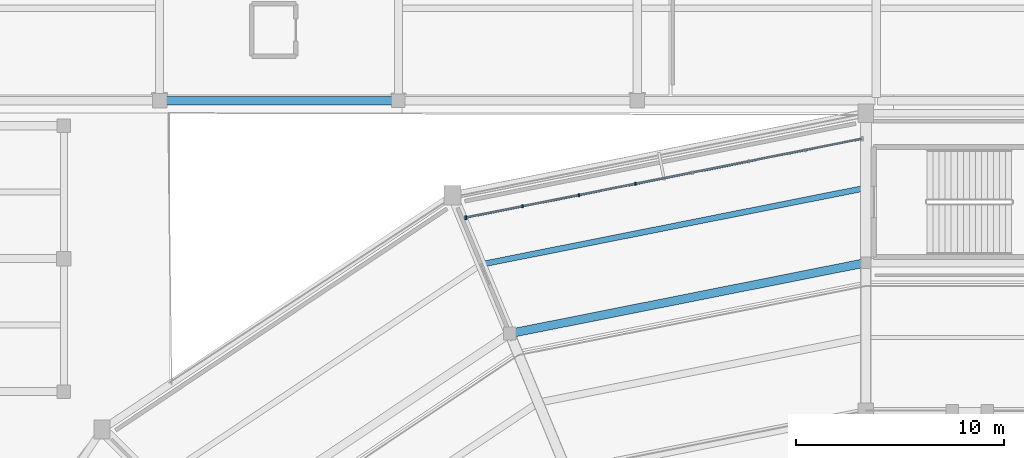
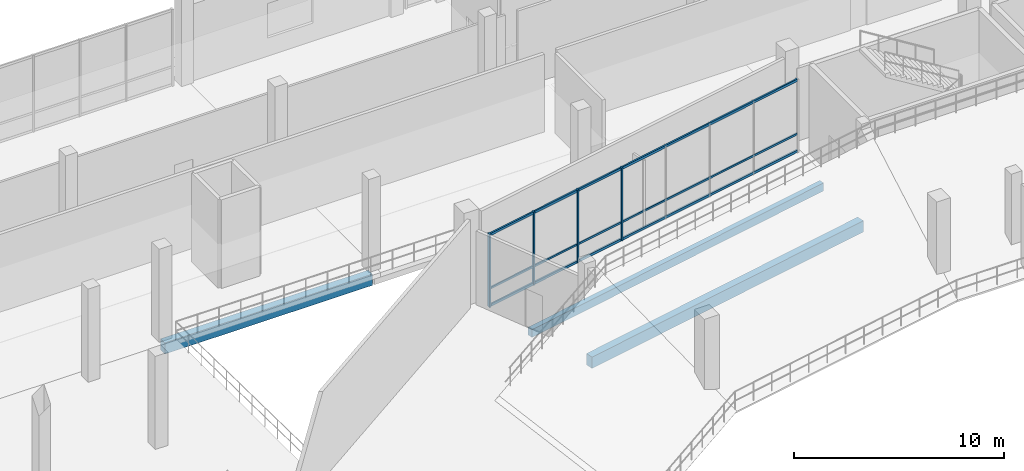
# One storey, part 47 of 127: 7 members, 3 beams, 1 element without a shape of its own.
"""IFC4 building model written with IfcOpenShell, lengths in metres."""

from ifc_helpers import new_model, si_unit, direction, frame, origin, origin_2d, place, context, subcontext, project, spatial, rectangle, extrude, material, material_profile, profile_set, type_object, element, aggregate, save


model = new_model("IFC4")

# Units and contexts
model_context = context("Model", 3, precision=1e-05, world=origin(), true_north=direction((0.0, 1.0)))
body_context = subcontext(model_context, "Body", "Model", "MODEL_VIEW")
ifc_project = project(units=[si_unit("LENGTHUNIT", "METRE"), si_unit("AREAUNIT", "SQUARE_METRE"), si_unit("VOLUMEUNIT", "CUBIC_METRE"), si_unit("PLANEANGLEUNIT", "RADIAN"), si_unit("MASSUNIT", "GRAM", prefix="KILO")], contexts=[model_context])

# Site, building, storey
site_placement = place(None, origin())
site = spatial("IfcSite", under=ifc_project, at=site_placement, CompositionType="ELEMENT")
building_placement = place(site_placement, origin())
building = spatial("IfcBuilding", under=site, at=building_placement, Name="Candeia Ridge Stadium", CompositionType="ELEMENT")
storey_placement = place(building_placement, frame((0.0, 0.0, 10.800048828125)))
storey = spatial("IfcBuildingStorey", under=building, at=storey_placement, Name="L02", CompositionType="ELEMENT", Elevation=10.800048828125)

# Curtain wall, members
ifc_material_1 = material(Name="Aluminium Anodized Warm Bronze", Category="aluminium")
curtain_wall_type = type_object("IfcCurtainWallType", Name="Concourse Recessed Unitised Curtain Wall", PredefinedType="NOTDEFINED", material=ifc_material_1)
curtain_wall_placement = place(storey_placement, origin())
curtain_wall = element("IfcCurtainWall", 1, at=curtain_wall_placement, inside=storey, type_object=curtain_wall_type, Name="Unitised curtain wall CW-BWL-L02-07", PredefinedType="NOTDEFINED")
ifc_material_profile_1 = material_profile(ifc_material_1, rectangle(XDim=0.090087890625, YDim=0.179931640625, at=origin_2d()), Name="CWM-90x180", Category="aluminium")
ifc_profile_set_1 = profile_set([ifc_material_profile_1], Name="Aluminium Anodized Warm Bronze")
member_type_1 = type_object("IfcMemberType", Name="Curtain Wall Primary Mullion 90x180", PredefinedType="MULLION", material=ifc_profile_set_1)
member_1_placement = place(storey_placement, frame((51.736083984375, 141.96826171875, 0.0), z_axis=(0.0, 0.0, 1.0), x_axis=(1.0, 0.0, 0.0)))
member_1 = element("IfcMember", 2, at=member_1_placement, type_object=member_type_1, Name="Curtain wall mullion CW-BWL-L02-07-M7", PredefinedType="MULLION", context=body_context, shape_type="SweptSolid", body=[
    extrude(rectangle(XDim=0.090087890625, YDim=0.179931640625, at=origin_2d()), origin(), (0.0, 0.0, 1.0), 4.2548828125),
])
ifc_material_profile_2 = material_profile(ifc_material_1, rectangle(XDim=0.074951171875, YDim=0.14990234375, at=origin_2d()), Name="CWM-75x150", Category="aluminium")
ifc_profile_set_2 = profile_set([ifc_material_profile_2], Name="Aluminium Anodized Warm Bronze")
member_type_2 = type_object("IfcMemberType", Name="Curtain Wall Secondary Mullion 75x150", PredefinedType="MULLION", material=ifc_profile_set_2)
member_2_placement = place(storey_placement, frame((59.91650390625, 143.595458984375, 0.0), z_axis=(0.0, 0.0, 1.0), x_axis=(1.0, 0.0, 0.0)))
member_2 = element("IfcMember", 3, at=member_2_placement, type_object=member_type_2, Name="Curtain wall mullion CW-BWL-L02-07-M4", PredefinedType="MULLION", context=body_context, shape_type="SweptSolid", body=[
    extrude(rectangle(XDim=0.074951171875, YDim=0.14990234375, at=origin_2d()), origin(), (0.0, 0.0, 1.0), 4.2548828125),
])
member_3_placement = place(storey_placement, frame((57.189697265625, 143.052978515625, 0.0), z_axis=(0.0, 0.0, 1.0), x_axis=(1.0, 0.0, 0.0)))
member_3 = element("IfcMember", 4, at=member_3_placement, type_object=member_type_2, Name="Curtain wall mullion CW-BWL-L02-07-M5", PredefinedType="MULLION", context=body_context, shape_type="SweptSolid", body=[
    extrude(rectangle(XDim=0.074951171875, YDim=0.14990234375, at=origin_2d()), origin(), (0.0, 0.0, 1.0), 4.2548828125),
])
member_4_placement = place(storey_placement, frame((54.462890625, 142.510498046875, 0.0), z_axis=(0.0, 0.0, 1.0), x_axis=(1.0, 0.0, 0.0)))
member_4 = element("IfcMember", 5, at=member_4_placement, type_object=member_type_2, Name="Curtain wall mullion CW-BWL-L02-07-M6", PredefinedType="MULLION", context=body_context, shape_type="SweptSolid", body=[
    extrude(rectangle(XDim=0.074951171875, YDim=0.14990234375, at=origin_2d()), origin(), (0.0, 0.0, 1.0), 4.2548828125),
])
ifc_material_profile_3 = material_profile(ifc_material_1, rectangle(XDim=0.074951171875, YDim=0.110107421875, at=origin_2d()), Name="CWT-75x110", Category="aluminium")
ifc_profile_set_3 = profile_set([ifc_material_profile_3], Name="Aluminium Anodized Warm Bronze")
member_type_3 = type_object("IfcMemberType", Name="Curtain Wall Secondary Transom 75x110", PredefinedType="USERDEFINED", material=ifc_profile_set_3)
member_5_placement = place(storey_placement, frame((70.823486328125, 145.764892578125, 1.063720703125), z_axis=(-0.980786160623, -0.195085896803, 0.0), x_axis=(0.195085896803, -0.980786160623, 0.0)))
member_5 = element("IfcMember", 6, at=member_5_placement, type_object=member_type_3, Name="Curtain wall transom CW-BWL-L02-07-T1", ObjectType="TRANSOM", PredefinedType="USERDEFINED", context=body_context, shape_type="SweptSolid", body=[
    extrude(rectangle(XDim=0.074951171875, YDim=0.110107421875, at=origin_2d()), origin(), (0.0, 0.0, 1.0), 19.46142578125),
])
ifc_material_profile_4 = material_profile(ifc_material_1, rectangle(XDim=0.090087890625, YDim=0.139892578125, at=origin_2d()), Name="CWT-90x140", Category="aluminium")
ifc_profile_set_4 = profile_set([ifc_material_profile_4], Name="Aluminium Anodized Warm Bronze")
member_type_4 = type_object("IfcMemberType", Name="Curtain Wall Transom 90x140", PredefinedType="USERDEFINED", material=ifc_profile_set_4)
member_6_placement = place(storey_placement, frame((70.823486328125, 145.764892578125, 0.070068359375), z_axis=(-0.980786160623, -0.195085896803, 0.0), x_axis=(0.195085896803, -0.980786160623, 0.0)))
member_6 = element("IfcMember", 7, at=member_6_placement, type_object=member_type_4, Name="Curtain wall transom CW-BWL-L02-07-T0", ObjectType="TRANSOM", PredefinedType="USERDEFINED", context=body_context, shape_type="SweptSolid", body=[
    extrude(rectangle(XDim=0.090087890625, YDim=0.139892578125, at=origin_2d()), origin(), (0.0, 0.0, 1.0), 19.46142578125),
])
member_7_placement = place(storey_placement, frame((70.823486328125, 145.764892578125, 4.18505859375), z_axis=(-0.980786160623, -0.195085896803, 0.0), x_axis=(0.195085896803, -0.980786160623, 0.0)))
member_7 = element("IfcMember", 8, at=member_7_placement, type_object=member_type_4, Name="Curtain wall transom CW-BWL-L02-07-T2", ObjectType="TRANSOM", PredefinedType="USERDEFINED", context=body_context, shape_type="SweptSolid", body=[
    extrude(rectangle(XDim=0.090087890625, YDim=0.139892578125, at=origin_2d()), origin(), (0.0, 0.0, 1.0), 19.46142578125),
])
aggregate(curtain_wall, [member_2, member_3, member_4, member_1, member_6, member_5, member_7])

# Beams
ifc_material_2 = material(Name="Concrete C40/50", Category="concrete")
ifc_material_profile_5 = material_profile(ifc_material_2, rectangle(XDim=0.280029296875, YDim=0.4599609375, at=origin_2d()), Name="RC280x460", Category="concrete")
ifc_profile_set_5 = profile_set([ifc_material_profile_5], Name="Concrete C40/50")
beam_type_1 = type_object("IfcBeamType", Name="Floor Joist RC280x460", PredefinedType="JOIST", material=ifc_profile_set_5)
beam_1_placement = place(storey_placement, frame((70.7822265625, 143.356689453125, -0.489990234375), z_axis=(-0.980784839623, -0.195092537954, 0.0), x_axis=(0.195092537954, -0.980784839623, 0.0)))
element("IfcBeam", 9, at=beam_1_placement, inside=storey, type_object=beam_type_1, Name="Concourse secondary joist BM-L02-0347", PredefinedType="JOIST", context=body_context, shape_type="SweptSolid", body=[
    extrude(rectangle(XDim=0.280029296875, YDim=0.4599609375, at=origin_2d()), origin(), (0.0, 0.0, 1.0), 18.440673828125),
])
ifc_material_profile_6 = material_profile(ifc_material_2, rectangle(XDim=0.409912109375, YDim=0.659912109375, at=origin_2d()), Name="RC410x660", Category="concrete")
ifc_profile_set_6 = profile_set([ifc_material_profile_6], Name="Concrete C40/50")
beam_type_2 = type_object("IfcBeamType", Name="Frame Girder RC410x660", PredefinedType="BEAM", material=ifc_profile_set_6)
beam_2_placement = place(storey_placement, frame((70.843017578125, 139.768798828125, -0.590087890625), z_axis=(-0.980783706548, -0.195098234154, 0.0), x_axis=(0.195098234154, -0.980783706548, 0.0)))
element("IfcBeam", 10, at=beam_2_placement, inside=storey, type_object=beam_type_2, Name="Concourse spine girder BM-L02-0344", PredefinedType="BEAM", context=body_context, shape_type="SweptSolid", body=[
    extrude(rectangle(XDim=0.409912109375, YDim=0.659912109375, at=origin_2d()), origin(), (0.0, 0.0, 1.0), 17.16015625),
])
ifc_material_profile_7 = material_profile(ifc_material_2, rectangle(XDim=0.39990234375, YDim=0.64990234375, at=origin_2d()), Name="RC400x650", Category="concrete")
ifc_profile_set_7 = profile_set([ifc_material_profile_7], Name="Concrete C40/50")
beam_type_3 = type_object("IfcBeamType", Name="Wing Primary Girder RC400x650", PredefinedType="BEAM", material=ifc_profile_set_7)
beam_3_placement = place(storey_placement, frame((37.050048828125, 147.60009765625, -0.5849609375), z_axis=(1.0, 0.0, 0.0), x_axis=(0.0, 1.0, 0.0)))
element("IfcBeam", 11, at=beam_3_placement, inside=storey, type_object=beam_type_3, Name="Structural girder BM-L02-1709", PredefinedType="BEAM", context=body_context, shape_type="SweptSolid", body=[
    extrude(rectangle(XDim=0.39990234375, YDim=0.64990234375, at=origin_2d()), origin(), (0.0, 0.0, 1.0), 11.39990234375),
])

save(model, "model.ifc")
